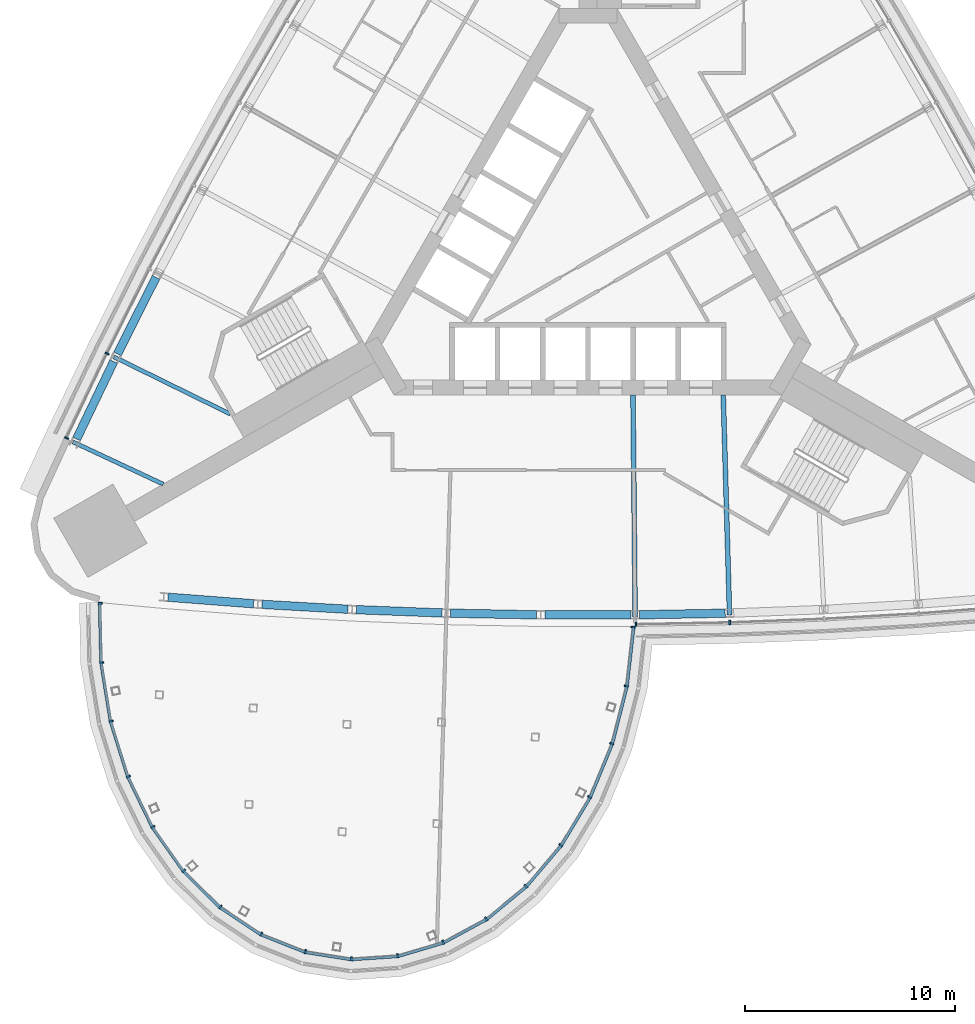
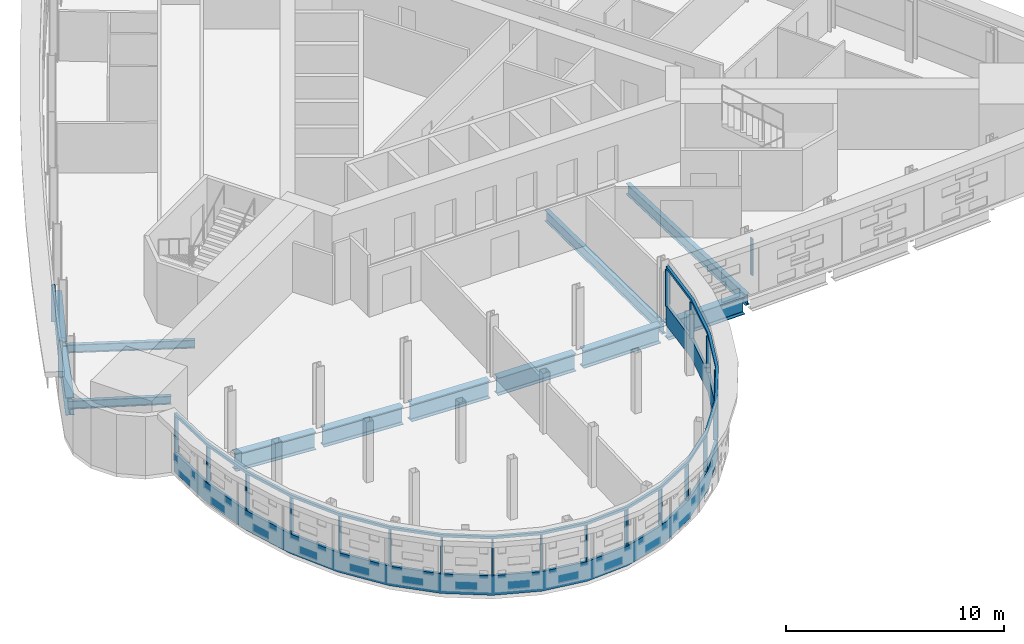
# One storey, part 3 of 15: 25 members, 12 beams, 3 elements without a shape of their own.
"""IFC4 building model written with IfcOpenShell, lengths in metres."""

from ifc_helpers import new_model, si_unit, direction, frame, origin, origin_2d, place, context, subcontext, project, spatial, polyline, rectangle, i_section, outline, extrude, material, material_profile, profile_set, type_object, element, aggregate, save


model = new_model("IFC4")

# Units and contexts
model_context = context("Model", 3, precision=1e-05, world=origin(), true_north=direction((0.0, 1.0)))
body_context = subcontext(model_context, "Body", "Model", "MODEL_VIEW")
ifc_project = project(units=[si_unit("LENGTHUNIT", "METRE"), si_unit("AREAUNIT", "SQUARE_METRE"), si_unit("VOLUMEUNIT", "CUBIC_METRE"), si_unit("PLANEANGLEUNIT", "RADIAN"), si_unit("MASSUNIT", "GRAM", prefix="KILO")], contexts=[model_context])

# Site, building, storey
site_placement = place(None, origin())
site = spatial("IfcSite", under=ifc_project, at=site_placement, CompositionType="ELEMENT")
building_placement = place(site_placement, origin())
building = spatial("IfcBuilding", under=site, at=building_placement, Name="Noor Cloister Tower", CompositionType="ELEMENT")
storey_placement = place(building_placement, frame((0.0, 0.0, 58.199951171875)))
storey = spatial("IfcBuildingStorey", under=building, at=storey_placement, Name="L14", CompositionType="ELEMENT", Elevation=58.199951171875)

# Beams
ifc_material_1 = material(Name="Steel ASTM A992 Gr 50", Category="steel")
ifc_material_profile_1 = material_profile(ifc_material_1, i_section(OverallWidth=0.40087890625, OverallDepth=0.98291015625, WebThickness=0.0166015625, FlangeThickness=0.027099609375, FilletRadius=0.030029296875, at=origin_2d()), Name="W1000x296")
ifc_profile_set_1 = profile_set([ifc_material_profile_1], Name="Steel ASTM A992 Gr 50")
beam_type_1 = type_object("IfcBeamType", Name="Belt chord girder W1000x296", PredefinedType="BEAM", material=ifc_profile_set_1)
beam_1_placement = place(storey_placement, frame((-20.54150390625, -1.328369140625, -0.69140625), z_axis=(-0.449626227314, -0.893216802188, 0.0), x_axis=(0.893216802188, -0.449626227314, 0.0)))
element("IfcBeam", 1, at=beam_1_placement, inside=storey, type_object=beam_type_1, Name="Spandrel beam NW 08 L14", PredefinedType="BEAM", context=body_context, shape_type="SweptSolid", body=[
    extrude(i_section(OverallWidth=0.40087890625, OverallDepth=0.98291015625, WebThickness=0.0166015625, FlangeThickness=0.027099609375, FilletRadius=0.030029296875, at=origin_2d()), origin(), (0.0, 0.0, 1.0), 4.08544921875),
])
beam_2_placement = place(storey_placement, frame((-22.556640625, -5.340087890625, -0.69140625), z_axis=(-0.432427965781, -0.901668483652, 0.0), x_axis=(0.901668483652, -0.432427965781, 0.0)))
element("IfcBeam", 2, at=beam_2_placement, inside=storey, type_object=beam_type_1, Name="Spandrel beam NW 09 L14", PredefinedType="BEAM", context=body_context, shape_type="SweptSolid", body=[
    extrude(i_section(OverallWidth=0.40087890625, OverallDepth=0.98291015625, WebThickness=0.0166015625, FlangeThickness=0.027099609375, FilletRadius=0.030029296875, at=origin_2d()), origin(), (0.0, 0.0, 1.0), 4.085205078125),
])
for number, where, z_axis, x_axis, name in (
    (3, (-19.9765625, -16.552734375, -0.69140625), (0.997083939733, -0.076312627572, 0.0), (0.076312627572, 0.997083939733, 0.0), "Spandrel beam S 01 L14"),
    (4, (-15.499755859375, -16.891357421875, -0.69140625), (0.998356421162, -0.057310176457, 0.0), (0.057310176457, 0.998356421162, 0.0), "Spandrel beam S 02 L14"),
    (5, (-11.017578125, -17.144775390625, -0.69140625), (0.999270676901, -0.03818526268, 0.0), (0.03818526268, 0.999270676901, 0.0), "Spandrel beam S 03 L14"),
):
    element("IfcBeam", number, at=place(storey_placement, frame(where, z_axis=z_axis, x_axis=x_axis)), inside=storey, type_object=beam_type_1, Name=name, PredefinedType="BEAM", context=body_context, shape_type="SweptSolid", body=[
        extrude(i_section(OverallWidth=0.40087890625, OverallDepth=0.98291015625, WebThickness=0.0166015625, FlangeThickness=0.027099609375, FilletRadius=0.030029296875, at=origin_2d()), origin(), (0.0, 0.0, 1.0), 4.08544921875),
    ])
beam_3_placement = place(storey_placement, frame((-6.53125, -17.312255859375, -0.69140625), z_axis=(0.99981826395, -0.019064078075, 0.0), x_axis=(0.019064078075, 0.99981826395, 0.0)))
element("IfcBeam", 6, at=beam_3_placement, inside=storey, type_object=beam_type_1, Name="Spandrel beam S 04 L14", PredefinedType="BEAM", context=body_context, shape_type="SweptSolid", body=[
    extrude(i_section(OverallWidth=0.40087890625, OverallDepth=0.98291015625, WebThickness=0.0166015625, FlangeThickness=0.027099609375, FilletRadius=0.030029296875, at=origin_2d()), origin(), (0.0, 0.0, 1.0), 4.085205078125),
])
beam_4_placement = place(storey_placement, frame((-2.042724609375, -17.39404296875, -0.69140625), z_axis=(1.0, 0.0, 0.0), x_axis=(0.0, 1.0, 0.0)))
element("IfcBeam", 7, at=beam_4_placement, inside=storey, type_object=beam_type_1, Name="Spandrel beam S 05 L14", PredefinedType="BEAM", context=body_context, shape_type="SweptSolid", body=[
    extrude(i_section(OverallWidth=0.40087890625, OverallDepth=0.98291015625, WebThickness=0.0166015625, FlangeThickness=0.027099609375, FilletRadius=0.030029296875, at=origin_2d()), origin(), (0.0, 0.0, 1.0), 4.08544921875),
])
beam_5_placement = place(storey_placement, frame((2.44677734375, -17.39013671875, -0.69140625), z_axis=(0.99981826395, 0.019064078075, 0.0), x_axis=(-0.019064078075, 0.99981826395, 0.0)))
element("IfcBeam", 8, at=beam_5_placement, inside=storey, type_object=beam_type_1, Name="Spandrel beam S 06 L14", PredefinedType="BEAM", context=body_context, shape_type="SweptSolid", body=[
    extrude(i_section(OverallWidth=0.40087890625, OverallDepth=0.98291015625, WebThickness=0.0166015625, FlangeThickness=0.027099609375, FilletRadius=0.030029296875, at=origin_2d()), origin(), (0.0, 0.0, 1.0), 4.085205078125),
])

# Curtain wall, member
ifc_material_2 = material(Name="Aluminium 6063-T6 anodised", Category="aluminium")
curtain_wall_type_1 = type_object("IfcCurtainWallType", Name="Sky bar curtain wall, lower bars CW2", PredefinedType="NOTDEFINED", material=ifc_material_2)
curtain_wall_1_placement = place(storey_placement, origin())
curtain_wall_1 = element("IfcCurtainWall", 9, at=curtain_wall_1_placement, inside=storey, type_object=curtain_wall_type_1, Name="CW2 L14 S sky bar run 2", PredefinedType="NOTDEFINED")
ifc_material_3 = material(Name="Aluminium 6063-T6 anodised", Category="aluminium")
member_type_1 = type_object("IfcMemberType", Name="Head transom CW2 150", PredefinedType="USERDEFINED", material=ifc_material_3)
member_1_placement = place(storey_placement, frame((0.0, 0.0, 3.150146484375)))
member_1 = element("IfcMember", 10, at=member_1_placement, type_object=member_type_1, Name="CW2 head transom", ObjectType="TRANSOM", PredefinedType="USERDEFINED", context=body_context, shape_type="SweptSolid", body=[
    extrude(outline(polyline([(-23.29736328125, -16.80029296875), (-23.2314453125, -19.67138671875), (-22.779296875, -22.472412109375), (-21.954833984375, -25.11865234375), (-20.783203125, -27.529541015625), (-19.299560546875, -29.6318359375), (-17.549560546875, -31.361328125), (-15.5859375, -32.666015625), (-13.468505859375, -33.506103515625), (-11.26171875, -33.855712890625), (-9.0322265625, -33.70458984375), (-6.84814453125, -33.05712890625), (-4.77587890625, -31.933349609375), (-2.878173828125, -30.366943359375), (-1.212890625, -28.40576171875), (0.169677734375, -26.109130859375), (1.227294921875, -23.54736328125), (1.927734375, -20.797607421875), (2.25, -17.944091796875), (2.11083984375, -17.928466796875), (1.789794921875, -20.7724609375), (1.093994140625, -23.503173828125), (0.044189453125, -26.046142578125), (-1.326904296875, -28.32373046875), (-2.976806640625, -30.266845703125), (-4.8544921875, -31.816650390625), (-6.902099609375, -32.92724609375), (-9.05712890625, -33.56591796875), (-11.25537109375, -33.71484375), (-13.431396484375, -33.3701171875), (-15.520751953125, -32.541259765625), (-17.460693359375, -31.252197265625), (-19.1923828125, -29.540771484375), (-20.662109375, -27.4580078125), (-21.824462890625, -25.06689453125), (-22.642578125, -22.4404296875), (-23.091552734375, -19.658447265625), (-23.1572265625, -16.797119140625), (-23.29736328125, -16.80029296875)])), origin(), (0.0, 0.0, 1.0), 0.14990234375),
])

# Curtain wall, members
ifc_material_4 = material(Name="Aluminium 6063-T6 anodised", Category="aluminium")
curtain_wall_type_2 = type_object("IfcCurtainWallType", Name="Ribbon curtain wall, lower tower CW1", PredefinedType="NOTDEFINED", material=ifc_material_4)
curtain_wall_2_placement = place(storey_placement, origin())
curtain_wall_2 = element("IfcCurtainWall", 11, at=curtain_wall_2_placement, inside=storey, type_object=curtain_wall_type_2, Name="CW1 L14 NW run 1", PredefinedType="NOTDEFINED")
ifc_material_5 = material(Name="Aluminium 6063-T6 anodised", Category="aluminium")
ifc_material_profile_2 = material_profile(ifc_material_5, rectangle(XDim=0.199951171875, YDim=0.080078125, at=origin_2d()), Name="200 x 80 mullion")
ifc_profile_set_2 = profile_set([ifc_material_profile_2], Name="Aluminium 6063-T6 anodised")
member_type_2 = type_object("IfcMemberType", Name="Mullion CW1 80 x 200", PredefinedType="MULLION", material=ifc_profile_set_2)
member_2_placement = place(storey_placement, frame((-22.873046875, -4.95947265625, 1.10009765625), z_axis=(0.0, 0.0, 1.0), x_axis=(0.897485415841, -0.441044134246, 0.0)))
member_2 = element("IfcMember", 12, at=member_2_placement, type_object=member_type_2, Name="CW1 mullion 9", PredefinedType="MULLION", context=body_context, shape_type="SweptSolid", body=[
    extrude(rectangle(XDim=0.199951171875, YDim=0.080078125, at=origin_2d()), origin(), (0.0, 0.0, 1.0), 2.050048828125),
])
member_3_placement = place(storey_placement, frame((-24.80126953125, -8.97998046875, 1.10009765625), z_axis=(0.0, 0.0, 1.0), x_axis=(0.9016555994, -0.432454830094, 0.0)))
member_3 = element("IfcMember", 13, at=member_3_placement, type_object=member_type_2, Name="CW1 mullion 10", PredefinedType="MULLION", context=body_context, shape_type="SweptSolid", body=[
    extrude(rectangle(XDim=0.199951171875, YDim=0.080078125, at=origin_2d()), origin(), (0.0, 0.0, 1.0), 2.050048828125),
])
aggregate(curtain_wall_2, [member_2, member_3])

curtain_wall_3_placement = place(storey_placement, origin())
curtain_wall_3 = element("IfcCurtainWall", 14, at=curtain_wall_3_placement, inside=storey, type_object=curtain_wall_type_2, Name="CW1 L14 S run 3", PredefinedType="NOTDEFINED")
member_4_placement = place(storey_placement, frame((2.2880859375, -17.84326171875, 1.10009765625), z_axis=(0.0, 0.0, 1.0), x_axis=(-0.019095132503, 0.999817671335, 0.0)))
member_4 = element("IfcMember", 15, at=member_4_placement, type_object=member_type_2, Name="CW1 mullion 1", PredefinedType="MULLION", context=body_context, shape_type="SweptSolid", body=[
    extrude(rectangle(XDim=0.199951171875, YDim=0.080078125, at=origin_2d()), origin(), (0.0, 0.0, 1.0), 2.050048828125),
])
member_5_placement = place(storey_placement, frame((6.74609375, -17.75830078125, 1.10009765625), z_axis=(0.0, 0.0, 1.0), x_axis=(-0.028640531415, 0.999589775838, 0.0)))
member_5 = element("IfcMember", 16, at=member_5_placement, type_object=member_type_2, Name="CW1 mullion 2", PredefinedType="MULLION", context=body_context, shape_type="SweptSolid", body=[
    extrude(rectangle(XDim=0.199951171875, YDim=0.080078125, at=origin_2d()), origin(), (0.0, 0.0, 1.0), 2.050048828125),
])
aggregate(curtain_wall_3, [member_4, member_5])

# Member
ifc_material_6 = material(Name="Aluminium 6063-T6 anodised", Category="aluminium")
ifc_material_profile_3 = material_profile(ifc_material_6, rectangle(XDim=0.199951171875, YDim=0.080078125, at=origin_2d()), Name="200 x 80 mullion")
ifc_profile_set_3 = profile_set([ifc_material_profile_3], Name="Aluminium 6063-T6 anodised")
member_type_3 = type_object("IfcMemberType", Name="Mullion CW2 80 x 200", PredefinedType="MULLION", material=ifc_profile_set_3)
member_6_placement = place(storey_placement, frame((-23.1962890625, -16.838134765625, 1.10009765625), z_axis=(0.0, 0.0, 1.0), x_axis=(0.999736542199, 0.022953130341, 0.0)))
member_6 = element("IfcMember", 17, at=member_6_placement, type_object=member_type_3, Name="CW2 mullion 1", PredefinedType="MULLION", context=body_context, shape_type="SweptSolid", body=[
    extrude(rectangle(XDim=0.199951171875, YDim=0.080078125, at=origin_2d()), origin(), (0.0, 0.0, 1.0), 2.050048828125),
])

member_7_placement = place(storey_placement, frame((-23.131591796875, -19.662109375, 1.10009765625), z_axis=(0.0, 0.0, 1.0), x_axis=(0.995819098609, 0.091347265121, 0.0)))
member_7 = element("IfcMember", 18, at=member_7_placement, type_object=member_type_3, Name="CW2 mullion 2", PredefinedType="MULLION", context=body_context, shape_type="SweptSolid", body=[
    extrude(rectangle(XDim=0.199951171875, YDim=0.080078125, at=origin_2d()), origin(), (0.0, 0.0, 1.0), 2.050048828125),
])

member_8_placement = place(storey_placement, frame((-22.681640625, -22.449462890625, 1.10009765625), z_axis=(0.0, 0.0, 1.0), x_axis=(0.973436544344, 0.228956970053, 0.0)))
member_8 = element("IfcMember", 19, at=member_8_placement, type_object=member_type_3, Name="CW2 mullion 3", PredefinedType="MULLION", context=body_context, shape_type="SweptSolid", body=[
    extrude(rectangle(XDim=0.199951171875, YDim=0.080078125, at=origin_2d()), origin(), (0.0, 0.0, 1.0), 2.050048828125),
])

member_9_placement = place(storey_placement, frame((-21.861572265625, -25.081787109375, 1.10009765625), z_axis=(0.0, 0.0, 1.0), x_axis=(0.929693335722, 0.368334496775, 0.0)))
member_9 = element("IfcMember", 20, at=member_9_placement, type_object=member_type_3, Name="CW2 mullion 4", PredefinedType="MULLION", context=body_context, shape_type="SweptSolid", body=[
    extrude(rectangle(XDim=0.199951171875, YDim=0.080078125, at=origin_2d()), origin(), (0.0, 0.0, 1.0), 2.050048828125),
])

member_10_placement = place(storey_placement, frame((-20.69677734375, -27.478515625, 1.10009765625), z_axis=(0.0, 0.0, 1.0), x_axis=(0.861046227696, 0.508526689339, 0.0)))
member_10 = element("IfcMember", 21, at=member_10_placement, type_object=member_type_3, Name="CW2 mullion 5", PredefinedType="MULLION", context=body_context, shape_type="SweptSolid", body=[
    extrude(rectangle(XDim=0.199951171875, YDim=0.080078125, at=origin_2d()), origin(), (0.0, 0.0, 1.0), 2.050048828125),
])

member_11_placement = place(storey_placement, frame((-19.22314453125, -29.56689453125, 1.10009765625), z_axis=(0.0, 0.0, 1.0), x_axis=(0.762969968702, 0.646433930777, 0.0)))
member_11 = element("IfcMember", 22, at=member_11_placement, type_object=member_type_3, Name="CW2 mullion 6", PredefinedType="MULLION", context=body_context, shape_type="SweptSolid", body=[
    extrude(rectangle(XDim=0.199951171875, YDim=0.080078125, at=origin_2d()), origin(), (0.0, 0.0, 1.0), 2.050048828125),
])

member_12_placement = place(storey_placement, frame((-17.486083984375, -31.283447265625, 1.10009765625), z_axis=(0.0, 0.0, 1.0), x_axis=(0.631107253283, 0.775695581304, 0.0)))
member_12 = element("IfcMember", 23, at=member_12_placement, type_object=member_type_3, Name="CW2 mullion 7", PredefinedType="MULLION", context=body_context, shape_type="SweptSolid", body=[
    extrude(rectangle(XDim=0.199951171875, YDim=0.080078125, at=origin_2d()), origin(), (0.0, 0.0, 1.0), 2.050048828125),
])

member_13_placement = place(storey_placement, frame((-15.539306640625, -32.576904296875, 1.10009765625), z_axis=(0.0, 0.0, 1.0), x_axis=(0.463586406363, 0.886051716231, 0.0)))
member_13 = element("IfcMember", 24, at=member_13_placement, type_object=member_type_3, Name="CW2 mullion 8", PredefinedType="MULLION", context=body_context, shape_type="SweptSolid", body=[
    extrude(rectangle(XDim=0.199951171875, YDim=0.080078125, at=origin_2d()), origin(), (0.0, 0.0, 1.0), 2.050048828125),
])

member_14_placement = place(storey_placement, frame((-13.44189453125, -33.408935546875, 1.10009765625), z_axis=(0.0, 0.0, 1.0), x_axis=(0.264225887671, 0.964460823613, 0.0)))
member_14 = element("IfcMember", 25, at=member_14_placement, type_object=member_type_3, Name="CW2 mullion 9", PredefinedType="MULLION", context=body_context, shape_type="SweptSolid", body=[
    extrude(rectangle(XDim=0.199951171875, YDim=0.080078125, at=origin_2d()), origin(), (0.0, 0.0, 1.0), 2.050048828125),
])

member_15_placement = place(storey_placement, frame((-11.257080078125, -33.755126953125, 1.10009765625), z_axis=(0.0, 0.0, 1.0), x_axis=(0.044724270619, 0.998999369178, 0.0)))
member_15 = element("IfcMember", 26, at=member_15_placement, type_object=member_type_3, Name="CW2 mullion 10", PredefinedType="MULLION", context=body_context, shape_type="SweptSolid", body=[
    extrude(rectangle(XDim=0.199951171875, YDim=0.080078125, at=origin_2d()), origin(), (0.0, 0.0, 1.0), 2.050048828125),
])

member_16_placement = place(storey_placement, frame((-9.050048828125, -33.60546875, 1.10009765625), z_axis=(0.0, 0.0, 1.0), x_axis=(-0.176985556802, 0.984213448741, 0.0)))
member_16 = element("IfcMember", 27, at=member_16_placement, type_object=member_type_3, Name="CW2 mullion 11", PredefinedType="MULLION", context=body_context, shape_type="SweptSolid", body=[
    extrude(rectangle(XDim=0.199951171875, YDim=0.080078125, at=origin_2d()), origin(), (0.0, 0.0, 1.0), 2.050048828125),
])

member_17_placement = place(storey_placement, frame((-6.88671875, -32.96435546875, 1.10009765625), z_axis=(0.0, 0.0, 1.0), x_axis=(-0.38255509187, 0.923932682442, 0.0)))
member_17 = element("IfcMember", 28, at=member_17_placement, type_object=member_type_3, Name="CW2 mullion 12", PredefinedType="MULLION", context=body_context, shape_type="SweptSolid", body=[
    extrude(rectangle(XDim=0.199951171875, YDim=0.080078125, at=origin_2d()), origin(), (0.0, 0.0, 1.0), 2.050048828125),
])

member_18_placement = place(storey_placement, frame((-4.83203125, -31.85009765625, 1.10009765625), z_axis=(0.0, 0.0, 1.0), x_axis=(-0.559267086026, 0.82898753096, 0.0)))
member_18 = element("IfcMember", 29, at=member_18_placement, type_object=member_type_3, Name="CW2 mullion 13", PredefinedType="MULLION", context=body_context, shape_type="SweptSolid", body=[
    extrude(rectangle(XDim=0.199951171875, YDim=0.080078125, at=origin_2d()), origin(), (0.0, 0.0, 1.0), 2.050048828125),
])

member_19_placement = place(storey_placement, frame((-2.94873046875, -30.29541015625, 1.10009765625), z_axis=(0.0, 0.0, 1.0), x_axis=(-0.702152978432, 0.71202611952, 0.0)))
member_19 = element("IfcMember", 30, at=member_19_placement, type_object=member_type_3, Name="CW2 mullion 14", PredefinedType="MULLION", context=body_context, shape_type="SweptSolid", body=[
    extrude(rectangle(XDim=0.199951171875, YDim=0.080078125, at=origin_2d()), origin(), (0.0, 0.0, 1.0), 2.050048828125),
])

member_20_placement = place(storey_placement, frame((-1.29443359375, -28.34716796875, 1.10009765625), z_axis=(0.0, 0.0, 1.0), x_axis=(-0.812160129323, 0.583434593025, 0.0)))
member_20 = element("IfcMember", 31, at=member_20_placement, type_object=member_type_3, Name="CW2 mullion 15", PredefinedType="MULLION", context=body_context, shape_type="SweptSolid", body=[
    extrude(rectangle(XDim=0.199951171875, YDim=0.080078125, at=origin_2d()), origin(), (0.0, 0.0, 1.0), 2.050048828125),
])

member_21_placement = place(storey_placement, frame((0.080078125, -26.064208984375, 1.10009765625), z_axis=(0.0, 0.0, 1.0), x_axis=(-0.89306006257, 0.44993746748, 0.0)))
member_21 = element("IfcMember", 32, at=member_21_placement, type_object=member_type_3, Name="CW2 mullion 16", PredefinedType="MULLION", context=body_context, shape_type="SweptSolid", body=[
    extrude(rectangle(XDim=0.199951171875, YDim=0.080078125, at=origin_2d()), origin(), (0.0, 0.0, 1.0), 2.050048828125),
])

member_22_placement = place(storey_placement, frame((1.132080078125, -23.515625, 1.10009765625), z_axis=(0.0, 0.0, 1.0), x_axis=(-0.949082911545, 0.315026390978, 0.0)))
member_22 = element("IfcMember", 33, at=member_22_placement, type_object=member_type_3, Name="CW2 mullion 17", PredefinedType="MULLION", context=body_context, shape_type="SweptSolid", body=[
    extrude(rectangle(XDim=0.199951171875, YDim=0.080078125, at=origin_2d()), origin(), (0.0, 0.0, 1.0), 2.050048828125),
])

member_23_placement = place(storey_placement, frame((1.8291015625, -20.77978515625, 1.10009765625), z_axis=(0.0, 0.0, 1.0), x_axis=(-0.98367260005, 0.179967263442, 0.0)))
member_23 = element("IfcMember", 34, at=member_23_placement, type_object=member_type_3, Name="CW2 mullion 18", PredefinedType="MULLION", context=body_context, shape_type="SweptSolid", body=[
    extrude(rectangle(XDim=0.199951171875, YDim=0.080078125, at=origin_2d()), origin(), (0.0, 0.0, 1.0), 2.050048828125),
])

member_24_placement = place(storey_placement, frame((2.14599609375, -17.97265625, 1.10009765625), z_axis=(0.0, 0.0, 1.0), x_axis=(-0.993686005796, 0.112196799802, 0.0)))
member_24 = element("IfcMember", 35, at=member_24_placement, type_object=member_type_3, Name="CW2 mullion 19", PredefinedType="MULLION", context=body_context, shape_type="SweptSolid", body=[
    extrude(rectangle(XDim=0.199951171875, YDim=0.080078125, at=origin_2d()), origin(), (0.0, 0.0, 1.0), 2.050048828125),
])

# Beams
ifc_material_7 = material(Name="Steel ASTM A992 Gr 50", Category="steel")
ifc_material_profile_4 = material_profile(ifc_material_7, i_section(OverallWidth=0.19091796875, OverallDepth=0.45703125, WebThickness=0.009033203125, FlangeThickness=0.014404296875, FilletRadius=0.01025390625, at=origin_2d()), Name="W460x74")
ifc_profile_set_4 = profile_set([ifc_material_profile_4], Name="Steel ASTM A992 Gr 50")
beam_type_2 = type_object("IfcBeamType", Name="Radial beam W460x74", PredefinedType="BEAM", material=ifc_profile_set_4)
beam_6_placement = place(storey_placement, frame((-22.55615234375, -5.115234375, -0.428466796875), z_axis=(0.897476302169, -0.441062679271, 0.0), x_axis=(0.441062679271, 0.897476302169, 0.0)))
element("IfcBeam", 36, at=beam_6_placement, inside=storey, type_object=beam_type_2, Name="Radial beam NW 09 L14", PredefinedType="BEAM", context=body_context, shape_type="SweptSolid", body=[
    extrude(i_section(OverallWidth=0.19091796875, OverallDepth=0.45703125, WebThickness=0.009033203125, FlangeThickness=0.014404296875, FilletRadius=0.01025390625, at=origin_2d()), origin(), (0.0, 0.0, 1.0), 6.170654296875),
])
beam_7_placement = place(storey_placement, frame((-24.49853515625, -9.164794921875, -0.428466796875), z_axis=(0.905732710041, -0.423849334035, 0.0), x_axis=(0.423849334035, 0.905732710041, 0.0)))
element("IfcBeam", 37, at=beam_7_placement, inside=storey, type_object=beam_type_2, Name="Radial beam NW 10 L14", PredefinedType="BEAM", context=body_context, shape_type="SweptSolid", body=[
    extrude(i_section(OverallWidth=0.19091796875, OverallDepth=0.45703125, WebThickness=0.009033203125, FlangeThickness=0.014404296875, FilletRadius=0.01025390625, at=origin_2d()), origin(), (0.0, 0.0, 1.0), 4.7412109375),
])
ifc_material_8 = material(Name="Steel ASTM A992 Gr 50", Category="steel")
ifc_material_profile_5 = material_profile(ifc_material_8, i_section(OverallWidth=0.22802734375, OverallDepth=0.60205078125, WebThickness=0.010498046875, FlangeThickness=0.014892578125, FilletRadius=0.0126953125, at=origin_2d()), Name="W610x101")
ifc_profile_set_5 = profile_set([ifc_material_profile_5], Name="Steel ASTM A992 Gr 50")
beam_type_3 = type_object("IfcBeamType", Name="Radial beam W610x101", PredefinedType="BEAM", material=ifc_profile_set_5)
beam_8_placement = place(storey_placement, frame((2.24560546875, -17.4912109375, -0.5009765625), z_axis=(-0.009545166766, 0.999954443858, 0.0), x_axis=(-0.999954443858, -0.009545166766, 0.0)))
element("IfcBeam", 38, at=beam_8_placement, inside=storey, type_object=beam_type_3, Name="Radial beam S 06 L14", PredefinedType="BEAM", context=body_context, shape_type="SweptSolid", body=[
    extrude(i_section(OverallWidth=0.22802734375, OverallDepth=0.60205078125, WebThickness=0.010498046875, FlangeThickness=0.014892578125, FilletRadius=0.0126953125, at=origin_2d()), origin(), (0.0, 0.0, 1.0), 10.5634765625),
])
beam_9_placement = place(storey_placement, frame((6.736083984375, -17.4052734375, -0.5009765625), z_axis=(-0.028650209329, 0.999589498497, 0.0), x_axis=(-0.999589498497, -0.028650209329, 0.0)))
element("IfcBeam", 39, at=beam_9_placement, inside=storey, type_object=beam_type_3, Name="Radial beam S 07 L14", PredefinedType="BEAM", context=body_context, shape_type="SweptSolid", body=[
    extrude(i_section(OverallWidth=0.22802734375, OverallDepth=0.60205078125, WebThickness=0.010498046875, FlangeThickness=0.014892578125, FilletRadius=0.0126953125, at=origin_2d()), origin(), (0.0, 0.0, 1.0), 10.4814453125),
])

# Member
ifc_material_9 = material(Name="Aluminium 6063-T6 anodised", Category="aluminium")
member_type_4 = type_object("IfcMemberType", Name="Sill transom CW2 1100", PredefinedType="USERDEFINED", material=ifc_material_9)
member_25_placement = place(storey_placement, origin())
member_25 = element("IfcMember", 40, at=member_25_placement, type_object=member_type_4, Name="CW2 sill transom", ObjectType="TRANSOM", PredefinedType="USERDEFINED", context=body_context, shape_type="SweptSolid", body=[
    extrude(outline(polyline([(-23.29736328125, -16.80029296875), (-23.2314453125, -19.67138671875), (-22.779296875, -22.472412109375), (-21.954833984375, -25.11865234375), (-20.783203125, -27.529541015625), (-19.299560546875, -29.6318359375), (-17.549560546875, -31.361328125), (-15.5859375, -32.666015625), (-13.468505859375, -33.506103515625), (-11.26171875, -33.855712890625), (-9.0322265625, -33.70458984375), (-6.84814453125, -33.05712890625), (-4.77587890625, -31.933349609375), (-2.878173828125, -30.366943359375), (-1.212890625, -28.40576171875), (0.169677734375, -26.109130859375), (1.227294921875, -23.54736328125), (1.927734375, -20.797607421875), (2.25, -17.944091796875), (2.11083984375, -17.928466796875), (1.789794921875, -20.7724609375), (1.093994140625, -23.503173828125), (0.044189453125, -26.046142578125), (-1.326904296875, -28.32373046875), (-2.976806640625, -30.266845703125), (-4.8544921875, -31.816650390625), (-6.902099609375, -32.92724609375), (-9.05712890625, -33.56591796875), (-11.25537109375, -33.71484375), (-13.431396484375, -33.3701171875), (-15.520751953125, -32.541259765625), (-17.460693359375, -31.252197265625), (-19.1923828125, -29.540771484375), (-20.662109375, -27.4580078125), (-21.824462890625, -25.06689453125), (-22.642578125, -22.4404296875), (-23.091552734375, -19.658447265625), (-23.1572265625, -16.797119140625), (-23.29736328125, -16.80029296875)])), origin(), (0.0, 0.0, 1.0), 1.10009765625),
])

aggregate(curtain_wall_1, [member_6, member_7, member_8, member_9, member_10, member_11, member_12, member_13, member_14, member_15, member_16, member_17, member_18, member_19, member_20, member_21, member_22, member_23, member_24, member_25, member_1])

save(model, "model.ifc")
